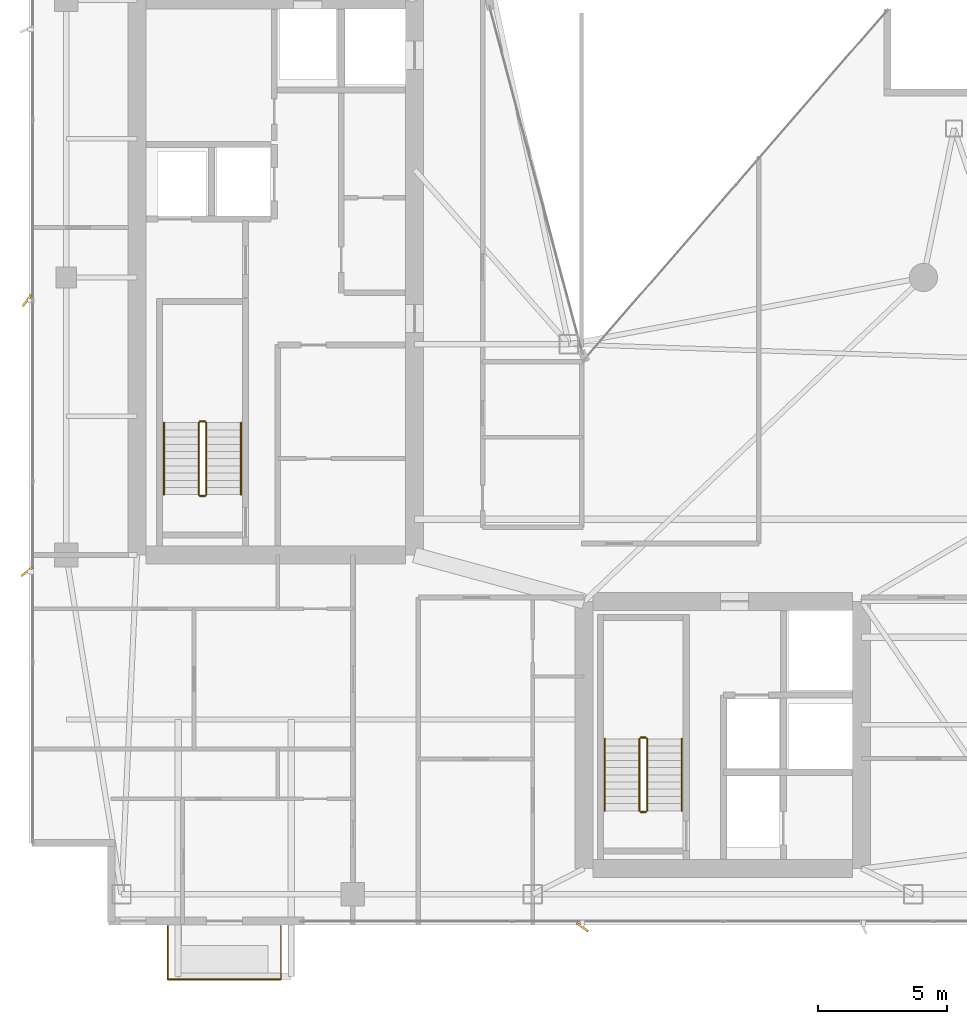
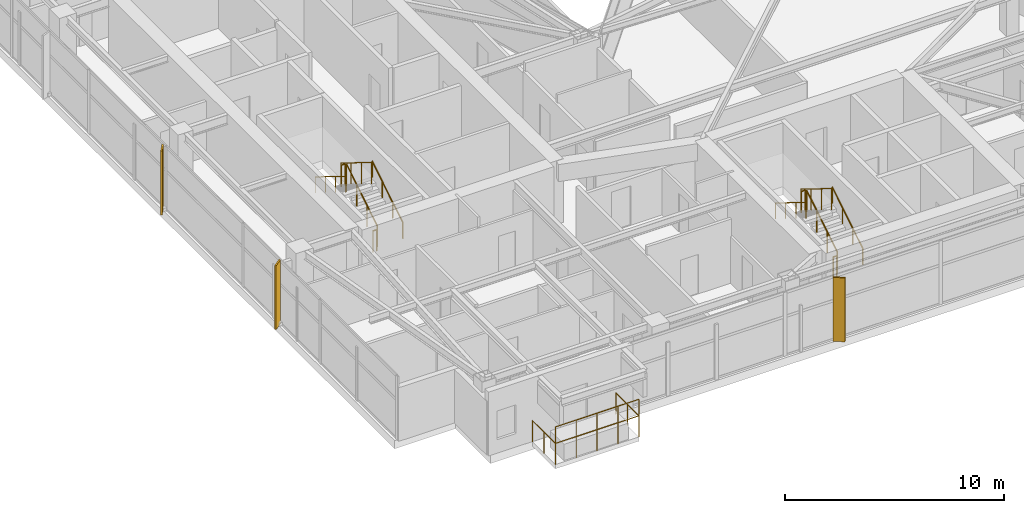
# One storey, part 27 of 28: 14 railings, 3 shading devices.
"""IFC4 building model written with IfcOpenShell, lengths in metres."""

from ifc_helpers import new_model, si_unit, direction, frame, origin, origin_2d, place, context, subcontext, project, spatial, rectangle, circle, extrude, material, type_object, element, save


model = new_model("IFC4")

# Units and contexts
model_context = context("Model", 3, precision=1e-05, world=origin(), true_north=direction((0.0, 1.0)))
body_context = subcontext(model_context, "Body", "Model", "MODEL_VIEW")
ifc_project = project(units=[si_unit("LENGTHUNIT", "METRE"), si_unit("AREAUNIT", "SQUARE_METRE"), si_unit("VOLUMEUNIT", "CUBIC_METRE"), si_unit("PLANEANGLEUNIT", "RADIAN"), si_unit("MASSUNIT", "GRAM", prefix="KILO")], contexts=[model_context])

# Site, building, storey
site_placement = place(None, origin())
site = spatial("IfcSite", under=ifc_project, at=site_placement, CompositionType="ELEMENT")
building_placement = place(site_placement, origin())
building = spatial("IfcBuilding", under=site, at=building_placement, Name="Calvorn Quay Hotel", CompositionType="ELEMENT")
storey_placement = place(building_placement, frame((0.0, 0.0, 243.800048828125)))
storey = spatial("IfcBuildingStorey", under=building, at=storey_placement, Name="L60", CompositionType="ELEMENT", Elevation=243.800048828125)

# Railings
ifc_material_1 = material(Name="Pale Anodised Aluminium and Laminated Glass", Category="aluminium")
railing_type_1 = type_object("IfcRailingType", Name="RLG-BALUSTRADE-1200", PredefinedType="BALUSTRADE", material=ifc_material_1)
railing_1_placement = place(storey_placement, frame((5.39990234375, 2.389892578125, 0.0)))
element("IfcRailing", 1, at=railing_1_placement, inside=storey, type_object=railing_type_1, Name="Tree Balcony Perimeter Balustrade L60-BALC-S", PredefinedType="BALUSTRADE", context=body_context, shape_type="SweptSolid", body=[
    extrude(circle(Radius=0.02392578125, at=origin_2d()), frame((0.0, 0.0, 1.17578125), z_axis=(0.0, -1.0, 0.0), x_axis=(1.0, 0.0, 0.0)), (0.0, 0.0, 1.0), 2.099853515625),
    extrude(circle(Radius=0.02392578125, at=origin_2d()), frame((0.0, -2.099853515625, 1.17578125), z_axis=(1.0, 0.0, 0.0), x_axis=(0.0, 1.0, 0.0)), (0.0, 0.0, 1.0), 4.400146484375),
    extrude(circle(Radius=0.02392578125, at=origin_2d()), frame((4.400146484375, -2.099853515625, 1.17578125), z_axis=(0.0, 1.0, 0.0), x_axis=(-1.0, 0.0, 0.0)), (0.0, 0.0, 1.0), 2.099853515625),
    extrude(circle(Radius=0.02099609375, at=origin_2d()), origin(), (0.0, 0.0, 1.0), 1.15185546875),
    extrude(circle(Radius=0.02099609375, at=origin_2d()), frame((0.0, -1.0498046875, 0.0)), (0.0, 0.0, 1.0), 1.15185546875),
    extrude(circle(Radius=0.02099609375, at=origin_2d()), frame((0.0, -2.099853515625, 0.0)), (0.0, 0.0, 1.0), 1.15185546875),
    extrude(circle(Radius=0.02099609375, at=origin_2d()), frame((1.10009765625, -2.099853515625, 0.0)), (0.0, 0.0, 1.0), 1.15185546875),
    extrude(circle(Radius=0.02099609375, at=origin_2d()), frame((2.2001953125, -2.099853515625, 0.0)), (0.0, 0.0, 1.0), 1.15185546875),
    extrude(circle(Radius=0.02099609375, at=origin_2d()), frame((3.300048828125, -2.099853515625, 0.0)), (0.0, 0.0, 1.0), 1.15185546875),
    extrude(circle(Radius=0.02099609375, at=origin_2d()), frame((4.400146484375, -2.099853515625, 0.0)), (0.0, 0.0, 1.0), 1.15185546875),
    extrude(circle(Radius=0.02099609375, at=origin_2d()), frame((4.400146484375, -1.0498046875, 0.0)), (0.0, 0.0, 1.0), 1.15185546875),
    extrude(circle(Radius=0.02099609375, at=origin_2d()), frame((4.400146484375, 0.0, 0.0)), (0.0, 0.0, 1.0), 1.15185546875),
])
railing_2_placement = place(storey_placement, frame((5.39990234375, 0.2900390625, 0.89990234375)))
element("IfcRailing", 2, at=railing_2_placement, inside=storey, type_object=railing_type_1, Name="Planter Kerb High Safety Screen L60-BALC-S", PredefinedType="BALUSTRADE", context=body_context, shape_type="SweptSolid", body=[
    extrude(circle(Radius=0.02392578125, at=origin_2d()), frame((0.0, 0.0, 1.19580078125), z_axis=(1.0, 0.0, 0.0), x_axis=(0.0, 1.0, 0.0)), (0.0, 0.0, 1.0), 4.400146484375),
    extrude(circle(Radius=0.02099609375, at=origin_2d()), origin(), (0.0, 0.0, 1.0), 1.171875),
    extrude(circle(Radius=0.02099609375, at=origin_2d()), frame((1.10009765625, 0.0, 0.0)), (0.0, 0.0, 1.0), 1.171875),
    extrude(circle(Radius=0.02099609375, at=origin_2d()), frame((2.2001953125, 0.0, 0.0)), (0.0, 0.0, 1.0), 1.171875),
    extrude(circle(Radius=0.02099609375, at=origin_2d()), frame((3.300048828125, 0.0, 0.0)), (0.0, 0.0, 1.0), 1.171875),
    extrude(circle(Radius=0.02099609375, at=origin_2d()), frame((4.400146484375, 0.0, 0.0)), (0.0, 0.0, 1.0), 1.171875),
])
ifc_material_2 = material(Name="Brushed Stainless Steel Handrail", Category="steel")
railing_type_2 = type_object("IfcRailingType", Name="RLG-HANDRAIL-900", PredefinedType="HANDRAIL", material=ifc_material_2)
railing_3_placement = place(storey_placement, frame((8.25, 19.14990234375, 0.172607421875)))
element("IfcRailing", 3, at=railing_3_placement, inside=storey, type_object=railing_type_2, Name="L60 ST-W stair handrail 1", PredefinedType="HANDRAIL", context=body_context, shape_type="SweptSolid", body=[
    extrude(circle(Radius=0.02392578125, at=origin_2d()), frame((0.0, 0.0, 0.8759765625), z_axis=(0.0, 0.851089632645, 0.525020415988), x_axis=(-1.0, 0.0, 0.0)), (0.0, 0.0, 1.0), 3.2900390625),
    extrude(circle(Radius=0.02099609375, at=origin_2d()), origin(), (0.0, 0.0, 1.0), 0.851806640625),
    extrude(circle(Radius=0.02099609375, at=origin_2d()), frame((0.0, 0.933349609375, 0.57568359375)), (0.0, 0.0, 1.0), 0.851806640625),
    extrude(circle(Radius=0.02099609375, at=origin_2d()), frame((0.0, 1.86669921875, 1.151611328125)), (0.0, 0.0, 1.0), 0.851806640625),
    extrude(circle(Radius=0.02099609375, at=origin_2d()), frame((0.0, 2.800048828125, 1.727294921875)), (0.0, 0.0, 1.0), 0.851806640625),
])
railing_4_placement = place(storey_placement, frame((5.25, 21.949951171875, 2.07275390625)))
element("IfcRailing", 4, at=railing_4_placement, inside=storey, type_object=railing_type_2, Name="L60 ST-W stair handrail 2", PredefinedType="HANDRAIL", context=body_context, shape_type="SweptSolid", body=[
    extrude(circle(Radius=0.02392578125, at=origin_2d()), frame((0.0, 0.0, 0.8759765625), z_axis=(0.0, -0.851089632645, 0.525020415988), x_axis=(1.0, 0.0, 0.0)), (0.0, 0.0, 1.0), 3.2900390625),
    extrude(circle(Radius=0.02099609375, at=origin_2d()), origin(), (0.0, 0.0, 1.0), 0.851806640625),
    extrude(circle(Radius=0.02099609375, at=origin_2d()), frame((0.0, -0.933349609375, 0.57568359375)), (0.0, 0.0, 1.0), 0.851806640625),
    extrude(circle(Radius=0.02099609375, at=origin_2d()), frame((0.0, -1.86669921875, 1.151611328125)), (0.0, 0.0, 1.0), 0.851806640625),
    extrude(circle(Radius=0.02099609375, at=origin_2d()), frame((0.0, -2.800048828125, 1.727294921875)), (0.0, 0.0, 1.0), 0.851806640625),
])
railing_5_placement = place(storey_placement, frame((25.39990234375, 6.85009765625, 0.172607421875)))
element("IfcRailing", 5, at=railing_5_placement, inside=storey, type_object=railing_type_2, Name="L60 ST-E stair handrail 1", PredefinedType="HANDRAIL", context=body_context, shape_type="SweptSolid", body=[
    extrude(circle(Radius=0.02392578125, at=origin_2d()), frame((0.0, 0.0, 0.8759765625), z_axis=(0.0, 0.851069175582, 0.525053576669), x_axis=(-1.0, 0.0, 0.0)), (0.0, 0.0, 1.0), 3.289794921875),
    extrude(circle(Radius=0.02099609375, at=origin_2d()), origin(), (0.0, 0.0, 1.0), 0.851806640625),
    extrude(circle(Radius=0.02099609375, at=origin_2d()), frame((0.0, 0.933349609375, 0.57568359375)), (0.0, 0.0, 1.0), 0.851806640625),
    extrude(circle(Radius=0.02099609375, at=origin_2d()), frame((0.0, 1.866455078125, 1.151611328125)), (0.0, 0.0, 1.0), 0.851806640625),
    extrude(circle(Radius=0.02099609375, at=origin_2d()), frame((0.0, 2.7998046875, 1.727294921875)), (0.0, 0.0, 1.0), 0.851806640625),
])
railing_6_placement = place(storey_placement, frame((22.39990234375, 9.64990234375, 2.07275390625)))
element("IfcRailing", 6, at=railing_6_placement, inside=storey, type_object=railing_type_2, Name="L60 ST-E stair handrail 2", PredefinedType="HANDRAIL", context=body_context, shape_type="SweptSolid", body=[
    extrude(circle(Radius=0.02392578125, at=origin_2d()), frame((0.0, 0.0, 0.8759765625), z_axis=(0.0, -0.851069175582, 0.525053576669), x_axis=(1.0, 0.0, 0.0)), (0.0, 0.0, 1.0), 3.289794921875),
    extrude(circle(Radius=0.02099609375, at=origin_2d()), origin(), (0.0, 0.0, 1.0), 0.851806640625),
    extrude(circle(Radius=0.02099609375, at=origin_2d()), frame((0.0, -0.933349609375, 0.57568359375)), (0.0, 0.0, 1.0), 0.851806640625),
    extrude(circle(Radius=0.02099609375, at=origin_2d()), frame((0.0, -1.866455078125, 1.151611328125)), (0.0, 0.0, 1.0), 0.851806640625),
    extrude(circle(Radius=0.02099609375, at=origin_2d()), frame((0.0, -2.7998046875, 1.727294921875)), (0.0, 0.0, 1.0), 0.851806640625),
])
ifc_material_3 = material(Name="Painted Galvanised Steel Balustrade", Category="steel")
railing_type_3 = type_object("IfcRailingType", Name="RLG-STAIR-GUARD-1120", PredefinedType="GUARDRAIL", material=ifc_material_3)
railing_7_placement = place(storey_placement, frame((6.89990234375, 19.14990234375, 0.172607421875)))
element("IfcRailing", 7, at=railing_7_placement, inside=storey, type_object=railing_type_3, Name="L60 ST-W stair guard 1", PredefinedType="GUARDRAIL", context=body_context, shape_type="SweptSolid", body=[
    extrude(circle(Radius=0.02392578125, at=origin_2d()), frame((0.0, 0.0, 1.17578125), z_axis=(0.0, 0.851089632645, 0.525020415988), x_axis=(-1.0, 0.0, 0.0)), (0.0, 0.0, 1.0), 3.2900390625),
    extrude(circle(Radius=0.02099609375, at=origin_2d()), origin(), (0.0, 0.0, 1.0), 1.15185546875),
    extrude(circle(Radius=0.02099609375, at=origin_2d()), frame((0.0, 0.933349609375, 0.57568359375)), (0.0, 0.0, 1.0), 1.15185546875),
    extrude(circle(Radius=0.02099609375, at=origin_2d()), frame((0.0, 1.86669921875, 1.151611328125)), (0.0, 0.0, 1.0), 1.15185546875),
    extrude(circle(Radius=0.02099609375, at=origin_2d()), frame((0.0, 2.800048828125, 1.727294921875)), (0.0, 0.0, 1.0), 1.15185546875),
])
railing_8_placement = place(storey_placement, frame((6.85009765625, 22.0, 1.89990234375)))
element("IfcRailing", 8, at=railing_8_placement, inside=storey, type_object=railing_type_3, Name="L60 ST-W stair guard 2", PredefinedType="GUARDRAIL", context=body_context, shape_type="SweptSolid", body=[
    extrude(circle(Radius=0.02392578125, at=origin_2d()), frame((0.0, 0.0, 1.17578125), z_axis=(-1.0, 0.0, 0.0), x_axis=(0.0, -1.0, 0.0)), (0.0, 0.0, 1.0), 0.2001953125),
    extrude(circle(Radius=0.02099609375, at=origin_2d()), origin(), (0.0, 0.0, 1.0), 1.15185546875),
    extrude(circle(Radius=0.02099609375, at=origin_2d()), frame((-0.2001953125, 0.0, 0.0)), (0.0, 0.0, 1.0), 1.15185546875),
])
railing_9_placement = place(storey_placement, frame((6.60009765625, 21.949951171875, 2.07275390625)))
element("IfcRailing", 9, at=railing_9_placement, inside=storey, type_object=railing_type_3, Name="L60 ST-W stair guard 3", PredefinedType="GUARDRAIL", context=body_context, shape_type="SweptSolid", body=[
    extrude(circle(Radius=0.02392578125, at=origin_2d()), frame((0.0, 0.0, 1.17578125), z_axis=(0.0, -0.851089632645, 0.525020415988), x_axis=(1.0, 0.0, 0.0)), (0.0, 0.0, 1.0), 3.2900390625),
    extrude(circle(Radius=0.02099609375, at=origin_2d()), origin(), (0.0, 0.0, 1.0), 1.15185546875),
    extrude(circle(Radius=0.02099609375, at=origin_2d()), frame((0.0, -0.933349609375, 0.57568359375)), (0.0, 0.0, 1.0), 1.15185546875),
    extrude(circle(Radius=0.02099609375, at=origin_2d()), frame((0.0, -1.86669921875, 1.151611328125)), (0.0, 0.0, 1.0), 1.15185546875),
    extrude(circle(Radius=0.02099609375, at=origin_2d()), frame((0.0, -2.800048828125, 1.727294921875)), (0.0, 0.0, 1.0), 1.15185546875),
])
railing_10_placement = place(storey_placement, frame((6.85009765625, 19.10009765625, 0.0)))
element("IfcRailing", 10, at=railing_10_placement, inside=storey, type_object=railing_type_3, Name="L60 ST-W stair guard 4", PredefinedType="GUARDRAIL", context=body_context, shape_type="SweptSolid", body=[
    extrude(circle(Radius=0.02392578125, at=origin_2d()), frame((0.0, 0.0, 1.17578125), z_axis=(-1.0, 0.0, 0.0), x_axis=(0.0, -1.0, 0.0)), (0.0, 0.0, 1.0), 0.2001953125),
    extrude(circle(Radius=0.02099609375, at=origin_2d()), origin(), (0.0, 0.0, 1.0), 1.15185546875),
    extrude(circle(Radius=0.02099609375, at=origin_2d()), frame((-0.2001953125, 0.0, 0.0)), (0.0, 0.0, 1.0), 1.15185546875),
])
railing_11_placement = place(storey_placement, frame((24.050048828125, 6.85009765625, 0.172607421875)))
element("IfcRailing", 11, at=railing_11_placement, inside=storey, type_object=railing_type_3, Name="L60 ST-E stair guard 1", PredefinedType="GUARDRAIL", context=body_context, shape_type="SweptSolid", body=[
    extrude(circle(Radius=0.02392578125, at=origin_2d()), frame((0.0, 0.0, 1.17578125), z_axis=(0.0, 0.851069175582, 0.525053576669), x_axis=(-1.0, 0.0, 0.0)), (0.0, 0.0, 1.0), 3.289794921875),
    extrude(circle(Radius=0.02099609375, at=origin_2d()), origin(), (0.0, 0.0, 1.0), 1.15185546875),
    extrude(circle(Radius=0.02099609375, at=origin_2d()), frame((0.0, 0.933349609375, 0.57568359375)), (0.0, 0.0, 1.0), 1.15185546875),
    extrude(circle(Radius=0.02099609375, at=origin_2d()), frame((0.0, 1.866455078125, 1.151611328125)), (0.0, 0.0, 1.0), 1.15185546875),
    extrude(circle(Radius=0.02099609375, at=origin_2d()), frame((0.0, 2.7998046875, 1.727294921875)), (0.0, 0.0, 1.0), 1.15185546875),
])
railing_12_placement = place(storey_placement, frame((24.0, 9.699951171875, 1.89990234375)))
element("IfcRailing", 12, at=railing_12_placement, inside=storey, type_object=railing_type_3, Name="L60 ST-E stair guard 2", PredefinedType="GUARDRAIL", context=body_context, shape_type="SweptSolid", body=[
    extrude(circle(Radius=0.02392578125, at=origin_2d()), frame((0.0, 0.0, 1.17578125), z_axis=(-1.0, 0.0, 0.0), x_axis=(0.0, -1.0, 0.0)), (0.0, 0.0, 1.0), 0.199951171875),
    extrude(circle(Radius=0.02099609375, at=origin_2d()), origin(), (0.0, 0.0, 1.0), 1.15185546875),
    extrude(circle(Radius=0.02099609375, at=origin_2d()), frame((-0.199951171875, 0.0, 0.0)), (0.0, 0.0, 1.0), 1.15185546875),
])
railing_13_placement = place(storey_placement, frame((23.75, 9.64990234375, 2.07275390625)))
element("IfcRailing", 13, at=railing_13_placement, inside=storey, type_object=railing_type_3, Name="L60 ST-E stair guard 3", PredefinedType="GUARDRAIL", context=body_context, shape_type="SweptSolid", body=[
    extrude(circle(Radius=0.02392578125, at=origin_2d()), frame((0.0, 0.0, 1.17578125), z_axis=(0.0, -0.851069175582, 0.525053576669), x_axis=(1.0, 0.0, 0.0)), (0.0, 0.0, 1.0), 3.289794921875),
    extrude(circle(Radius=0.02099609375, at=origin_2d()), origin(), (0.0, 0.0, 1.0), 1.15185546875),
    extrude(circle(Radius=0.02099609375, at=origin_2d()), frame((0.0, -0.933349609375, 0.57568359375)), (0.0, 0.0, 1.0), 1.15185546875),
    extrude(circle(Radius=0.02099609375, at=origin_2d()), frame((0.0, -1.866455078125, 1.151611328125)), (0.0, 0.0, 1.0), 1.15185546875),
    extrude(circle(Radius=0.02099609375, at=origin_2d()), frame((0.0, -2.7998046875, 1.727294921875)), (0.0, 0.0, 1.0), 1.15185546875),
])
railing_14_placement = place(storey_placement, frame((24.0, 6.800048828125, 0.0)))
element("IfcRailing", 14, at=railing_14_placement, inside=storey, type_object=railing_type_3, Name="L60 ST-E stair guard 4", PredefinedType="GUARDRAIL", context=body_context, shape_type="SweptSolid", body=[
    extrude(circle(Radius=0.02392578125, at=origin_2d()), frame((0.0, 0.0, 1.17578125), z_axis=(-1.0, 0.0, 0.0), x_axis=(0.0, -1.0, 0.0)), (0.0, 0.0, 1.0), 0.199951171875),
    extrude(circle(Radius=0.02099609375, at=origin_2d()), origin(), (0.0, 0.0, 1.0), 1.15185546875),
    extrude(circle(Radius=0.02099609375, at=origin_2d()), frame((-0.199951171875, 0.0, 0.0)), (0.0, 0.0, 1.0), 1.15185546875),
])

# Shading devices
ifc_material_4 = material(Name="Champagne Bronze Anodised Aluminium 6063-T6", Category="aluminium")
shading_device_type_1 = type_object("IfcShadingDeviceType", Name="SHD-FIN-A2", PredefinedType="USERDEFINED", material=ifc_material_4)
shading_device_placement = place(storey_placement, frame((-0.080078125, 16.14990234375, 0.0), z_axis=(0.0, 0.0, 1.0), x_axis=(0.788010753607, 0.615661475326, 0.0)))
element("IfcShadingDevice", 15, at=shading_device_placement, inside=storey, type_object=shading_device_type_1, Name="Diagonal Sun-Shading Fin L60-W01", ObjectType="FIN", PredefinedType="USERDEFINED", context=body_context, shape_type="SweptSolid", body=[
    extrude(rectangle(XDim=0.550048828125, YDim=0.080078125, at=origin_2d()), origin(), (0.0, 0.0, 1.0), 3.56005859375),
])
ifc_material_5 = material(Name="Champagne Bronze Anodised Aluminium 6063-T6", Category="aluminium")
shading_device_type_2 = type_object("IfcShadingDeviceType", Name="SHD-FIN-A3", PredefinedType="USERDEFINED", material=ifc_material_5)
for number, where, z_axis, x_axis, name in (
    (16, (-0.080078125, 26.699951171875, 0.0), (0.0, 0.0, 1.0), (0.587785252292, 0.809016994375, 0.0), "Diagonal Sun-Shading Fin L60-W02"),
    (17, (21.532958984375, 2.320068359375, 0.0), (0.0, 0.0, 1.0), (-0.809016994375, 0.587785252292, 0.0), "Diagonal Sun-Shading Fin L60-S01"),
):
    element("IfcShadingDevice", number, at=place(storey_placement, frame(where, z_axis=z_axis, x_axis=x_axis)), inside=storey, type_object=shading_device_type_2, Name=name, ObjectType="FIN", PredefinedType="USERDEFINED", context=body_context, shape_type="SweptSolid", body=[
        extrude(rectangle(XDim=0.550048828125, YDim=0.080078125, at=origin_2d()), origin(), (0.0, 0.0, 1.0), 3.56005859375),
    ])

save(model, "model.ifc")
